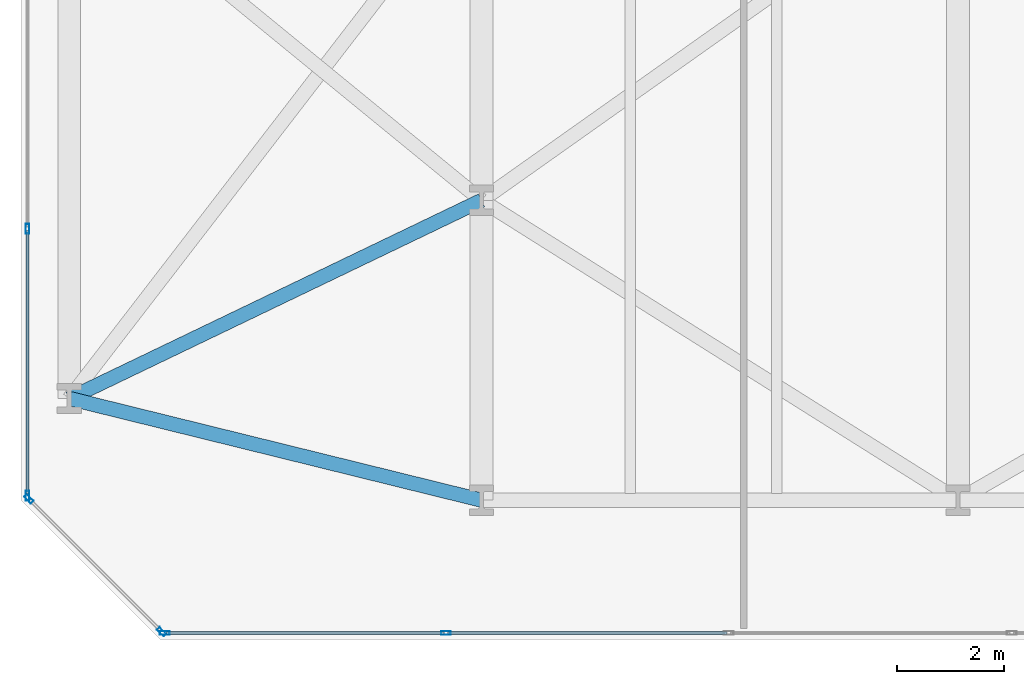
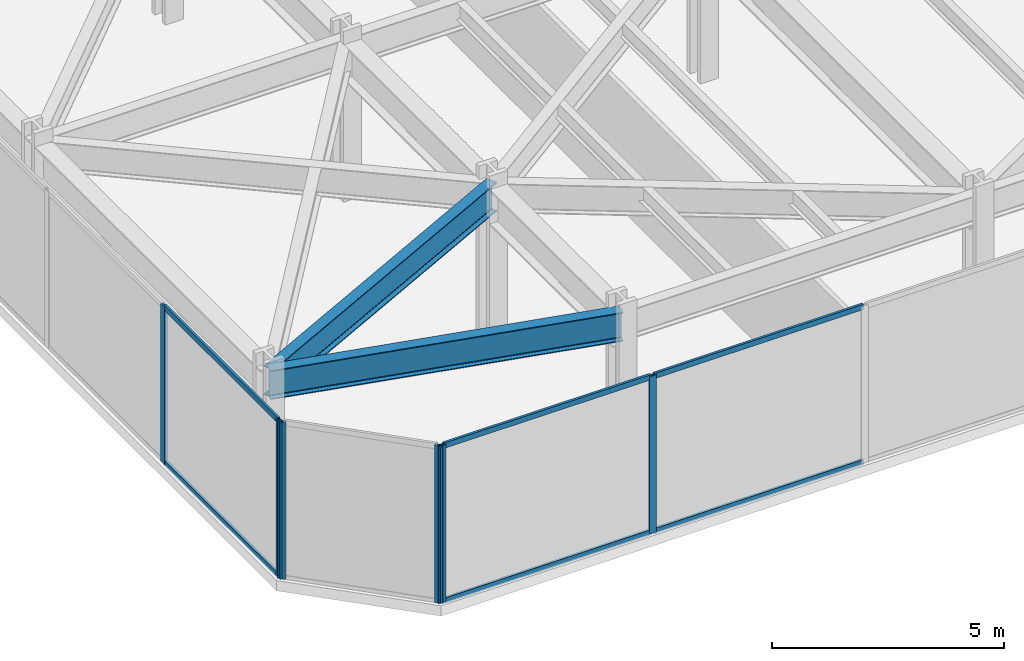
# One storey, part 2 of 30: 12 members, 2 beams, 3 elements without a shape of their own.
"""IFC4 building model written with IfcOpenShell, lengths in metres."""

from ifc_helpers import new_model, si_unit, direction, frame, origin, origin_2d, place, context, subcontext, project, spatial, hollow_rectangle, i_section, extrude, material, layer, layer_set, material_profile, profile_set, type_object, element, aggregate, save


model = new_model("IFC4")

# Units and contexts
model_context = context("Model", 3, precision=1e-05, world=origin(), true_north=direction((0.0, 1.0)))
body_context = subcontext(model_context, "Body", "Model", "MODEL_VIEW")
ifc_project = project(units=[si_unit("LENGTHUNIT", "METRE"), si_unit("AREAUNIT", "SQUARE_METRE"), si_unit("VOLUMEUNIT", "CUBIC_METRE"), si_unit("PLANEANGLEUNIT", "RADIAN"), si_unit("MASSUNIT", "GRAM", prefix="KILO")], contexts=[model_context])

# Site, building, storey
site_placement = place(None, origin())
site = spatial("IfcSite", under=ifc_project, at=site_placement, CompositionType="ELEMENT")
building_placement = place(site_placement, origin())
building = spatial("IfcBuilding", under=site, at=building_placement, Name="Kravanh Interchange Tower", CompositionType="ELEMENT")
storey_placement = place(building_placement, frame((0.0, 0.0, 19.800048828125)))
storey = spatial("IfcBuildingStorey", under=building, at=storey_placement, Name="L04", CompositionType="ELEMENT", Elevation=19.800048828125)

# Curtain wall, members
ifc_material_1 = material(Name="Anodised Bronze Aluminium", Category="aluminium")
ifc_layer = layer(ifc_material_1, 0.179931640625)
ifc_layer_set = layer_set([ifc_layer], Name="Unitised Curtain Wall System CW-POD Podium Concourse")
curtain_wall_type = type_object("IfcCurtainWallType", Name="Unitised Curtain Wall System CW-POD Podium Concourse", PredefinedType="NOTDEFINED", material=ifc_layer_set)
curtain_wall_1_placement = place(storey_placement, origin())
curtain_wall_1 = element("IfcCurtainWall", 1, at=curtain_wall_1_placement, inside=storey, type_object=curtain_wall_type, Name="L04 Unitised Curtain Wall CW-L04-01", PredefinedType="NOTDEFINED")
ifc_material_2 = material(Name="Anodised Bronze Aluminium", Category="aluminium")
ifc_material_profile_1 = material_profile(ifc_material_2, hollow_rectangle(XDim=0.070068359375, YDim=0.179931640625, WallThickness=0.00390625, at=origin_2d()), Name="ALU70X180X4")
ifc_profile_set_1 = profile_set([ifc_material_profile_1], Name="Anodised Bronze Aluminium")
member_type_1 = type_object("IfcMemberType", Name="Curtain Wall Mullion ALU70X180X4 Bronze", PredefinedType="MULLION", material=ifc_profile_set_1)
member_1_placement = place(storey_placement, frame((0.1201171875, 2.684814453125, 0.0), z_axis=(0.0, 0.0, 1.0), x_axis=(-1.0, 0.0, 0.0)))
member_1 = element("IfcMember", 2, at=member_1_placement, type_object=member_type_1, Name="CW-POD mullion 1", PredefinedType="MULLION", context=body_context, shape_type="SweptSolid", body=[
    extrude(hollow_rectangle(XDim=0.070068359375, YDim=0.179931640625, WallThickness=0.00390625, at=origin_2d()), origin(), (0.0, 0.0, 1.0), 4.14990234375),
])
member_2_placement = place(storey_placement, frame((0.1201171875, 7.671142578125, 0.0), z_axis=(0.0, 0.0, 1.0), x_axis=(-1.0, 0.0, 0.0)))
member_2 = element("IfcMember", 3, at=member_2_placement, type_object=member_type_1, Name="CW-POD mullion 2", PredefinedType="MULLION", context=body_context, shape_type="SweptSolid", body=[
    extrude(hollow_rectangle(XDim=0.070068359375, YDim=0.179931640625, WallThickness=0.00390625, at=origin_2d()), origin(), (0.0, 0.0, 1.0), 4.14990234375),
])

curtain_wall_2_placement = place(storey_placement, origin())
curtain_wall_2 = element("IfcCurtainWall", 4, at=curtain_wall_2_placement, inside=storey, type_object=curtain_wall_type, Name="L04 Unitised Curtain Wall CW-L04-04", PredefinedType="NOTDEFINED")
member_3_placement = place(storey_placement, frame((7.934326171875, 0.1201171875, 0.0), z_axis=(0.0, 0.0, 1.0), x_axis=(0.0, -1.0, 0.0)))
member_3 = element("IfcMember", 5, at=member_3_placement, type_object=member_type_1, Name="CW-POD mullion 13", PredefinedType="MULLION", context=body_context, shape_type="SweptSolid", body=[
    extrude(hollow_rectangle(XDim=0.070068359375, YDim=0.179931640625, WallThickness=0.00390625, at=origin_2d()), origin(), (0.0, 0.0, 1.0), 4.14990234375),
])
member_4_placement = place(storey_placement, frame((2.684814453125, 0.1201171875, 0.0), z_axis=(0.0, 0.0, 1.0), x_axis=(0.0, -1.0, 0.0)))
member_4 = element("IfcMember", 6, at=member_4_placement, type_object=member_type_1, Name="CW-POD mullion 14", PredefinedType="MULLION", context=body_context, shape_type="SweptSolid", body=[
    extrude(hollow_rectangle(XDim=0.070068359375, YDim=0.179931640625, WallThickness=0.00390625, at=origin_2d()), origin(), (0.0, 0.0, 1.0), 4.14990234375),
])

curtain_wall_3_placement = place(storey_placement, origin())
curtain_wall_3 = element("IfcCurtainWall", 7, at=curtain_wall_3_placement, inside=storey, type_object=curtain_wall_type, Name="L04 Unitised Curtain Wall CW-L04-05", PredefinedType="NOTDEFINED")
member_5_placement = place(storey_placement, frame((2.625, 0.144775390625, 0.0), z_axis=(0.0, 0.0, 1.0), x_axis=(-0.707106781187, -0.707106781187, 0.0)))
member_5 = element("IfcMember", 8, at=member_5_placement, type_object=member_type_1, Name="CW-POD mullion 1", PredefinedType="MULLION", context=body_context, shape_type="SweptSolid", body=[
    extrude(hollow_rectangle(XDim=0.070068359375, YDim=0.179931640625, WallThickness=0.00390625, at=origin_2d()), origin(), (0.0, 0.0, 1.0), 4.14990234375),
])
member_6_placement = place(storey_placement, frame((0.144775390625, 2.625, 0.0), z_axis=(0.0, 0.0, 1.0), x_axis=(-0.707106781187, -0.707106781187, 0.0)))
member_6 = element("IfcMember", 9, at=member_6_placement, type_object=member_type_1, Name="CW-POD mullion 2", PredefinedType="MULLION", context=body_context, shape_type="SweptSolid", body=[
    extrude(hollow_rectangle(XDim=0.070068359375, YDim=0.179931640625, WallThickness=0.00390625, at=origin_2d()), origin(), (0.0, 0.0, 1.0), 4.14990234375),
])
aggregate(curtain_wall_3, [member_5, member_6])

# Member
ifc_material_3 = material(Name="Anodised Bronze Aluminium", Category="aluminium")
ifc_material_profile_2 = material_profile(ifc_material_3, hollow_rectangle(XDim=0.06005859375, YDim=0.139892578125, WallThickness=0.00390625, at=origin_2d()), Name="ALU60X140X4")
ifc_profile_set_2 = profile_set([ifc_material_profile_2], Name="Anodised Bronze Aluminium")
member_type_2 = type_object("IfcMemberType", Name="Curtain Wall Transom ALU60X140X4 Bronze", PredefinedType="USERDEFINED", material=ifc_profile_set_2)
member_7_placement = place(storey_placement, frame((0.1201171875, 2.7197265625, 0.030029296875), z_axis=(0.0, 1.0, 0.0), x_axis=(-1.0, 0.0, 0.0)))
member_7 = element("IfcMember", 10, at=member_7_placement, type_object=member_type_2, Name="CW-POD transom 1.1", ObjectType="TRANSOM", PredefinedType="USERDEFINED", context=body_context, shape_type="SweptSolid", body=[
    extrude(hollow_rectangle(XDim=0.06005859375, YDim=0.139892578125, WallThickness=0.00390625, at=origin_2d()), origin(), (0.0, 0.0, 1.0), 4.91650390625),
])

member_8_placement = place(storey_placement, frame((0.1201171875, 2.7197265625, 4.119873046875), z_axis=(0.0, 1.0, 0.0), x_axis=(-1.0, 0.0, 0.0)))
member_8 = element("IfcMember", 11, at=member_8_placement, type_object=member_type_2, Name="CW-POD transom 1.2", ObjectType="TRANSOM", PredefinedType="USERDEFINED", context=body_context, shape_type="SweptSolid", body=[
    extrude(hollow_rectangle(XDim=0.06005859375, YDim=0.139892578125, WallThickness=0.00390625, at=origin_2d()), origin(), (0.0, 0.0, 1.0), 4.91650390625),
])

aggregate(curtain_wall_1, [member_1, member_2, member_7, member_8])

member_9_placement = place(storey_placement, frame((13.18408203125, 0.1201171875, 0.030029296875), z_axis=(-1.0, 0.0, 0.0), x_axis=(0.0, -1.0, 0.0)))
member_9 = element("IfcMember", 12, at=member_9_placement, type_object=member_type_2, Name="CW-POD transom 12.1", ObjectType="TRANSOM", PredefinedType="USERDEFINED", context=body_context, shape_type="SweptSolid", body=[
    extrude(hollow_rectangle(XDim=0.06005859375, YDim=0.139892578125, WallThickness=0.00390625, at=origin_2d()), origin(), (0.0, 0.0, 1.0), 5.214599609375),
])

member_10_placement = place(storey_placement, frame((13.18408203125, 0.1201171875, 4.119873046875), z_axis=(-1.0, 0.0, 0.0), x_axis=(0.0, -1.0, 0.0)))
member_10 = element("IfcMember", 13, at=member_10_placement, type_object=member_type_2, Name="CW-POD transom 12.2", ObjectType="TRANSOM", PredefinedType="USERDEFINED", context=body_context, shape_type="SweptSolid", body=[
    extrude(hollow_rectangle(XDim=0.06005859375, YDim=0.139892578125, WallThickness=0.00390625, at=origin_2d()), origin(), (0.0, 0.0, 1.0), 5.214599609375),
])

member_11_placement = place(storey_placement, frame((7.8994140625, 0.1201171875, 0.030029296875), z_axis=(-1.0, 0.0, 0.0), x_axis=(0.0, -1.0, 0.0)))
member_11 = element("IfcMember", 14, at=member_11_placement, type_object=member_type_2, Name="CW-POD transom 13.1", ObjectType="TRANSOM", PredefinedType="USERDEFINED", context=body_context, shape_type="SweptSolid", body=[
    extrude(hollow_rectangle(XDim=0.06005859375, YDim=0.139892578125, WallThickness=0.00390625, at=origin_2d()), origin(), (0.0, 0.0, 1.0), 5.1796875),
])

member_12_placement = place(storey_placement, frame((7.8994140625, 0.1201171875, 4.119873046875), z_axis=(-1.0, 0.0, 0.0), x_axis=(0.0, -1.0, 0.0)))
member_12 = element("IfcMember", 15, at=member_12_placement, type_object=member_type_2, Name="CW-POD transom 13.2", ObjectType="TRANSOM", PredefinedType="USERDEFINED", context=body_context, shape_type="SweptSolid", body=[
    extrude(hollow_rectangle(XDim=0.06005859375, YDim=0.139892578125, WallThickness=0.00390625, at=origin_2d()), origin(), (0.0, 0.0, 1.0), 5.1796875),
])

aggregate(curtain_wall_2, [member_3, member_4, member_9, member_10, member_11, member_12])

# Beams
ifc_material_4 = material(Name="Structural Steel S355", Category="steel")
ifc_material_profile_3 = material_profile(ifc_material_4, i_section(OverallWidth=0.26708984375, OverallDepth=0.761962890625, WebThickness=0.014404296875, FlangeThickness=0.021484375, FilletRadius=0.02490234375, at=origin_2d()), Name="W30X116")
ifc_profile_set_3 = profile_set([ifc_material_profile_3], Name="Structural Steel S355")
beam_type = type_object("IfcBeamType", Name="Floor Spandrel W30X116 Structural Steel S355", PredefinedType="SPANDREL", material=ifc_profile_set_3)
beam_1_placement = place(storey_placement, frame((8.60009765625, 2.60009765625, 3.76904296875), z_axis=(-0.970883936595, 0.239550373956, 0.0), x_axis=(-0.239550373956, -0.970883936595, 0.0)))
element("IfcBeam", 16, at=beam_1_placement, inside=storey, type_object=beam_type, Name="L04 Perimeter Spandrel 2", PredefinedType="SPANDREL", context=body_context, shape_type="SweptSolid", body=[
    extrude(i_section(OverallWidth=0.26708984375, OverallDepth=0.761962890625, WebThickness=0.014404296875, FlangeThickness=0.021484375, FilletRadius=0.02490234375, at=origin_2d()), origin(), (0.0, 0.0, 1.0), 7.93115234375),
])
beam_2_placement = place(storey_placement, frame((8.60009765625, 8.199951171875, 3.76904296875), z_axis=(-0.901346832937, -0.433098010563, 0.0), x_axis=(0.433098010563, -0.901346832937, 0.0)))
element("IfcBeam", 17, at=beam_2_placement, inside=storey, type_object=beam_type, Name="L04 Perimeter Spandrel 24", PredefinedType="SPANDREL", context=body_context, shape_type="SweptSolid", body=[
    extrude(i_section(OverallWidth=0.26708984375, OverallDepth=0.761962890625, WebThickness=0.014404296875, FlangeThickness=0.021484375, FilletRadius=0.02490234375, at=origin_2d()), origin(), (0.0, 0.0, 1.0), 8.54296875),
])

save(model, "model.ifc")
